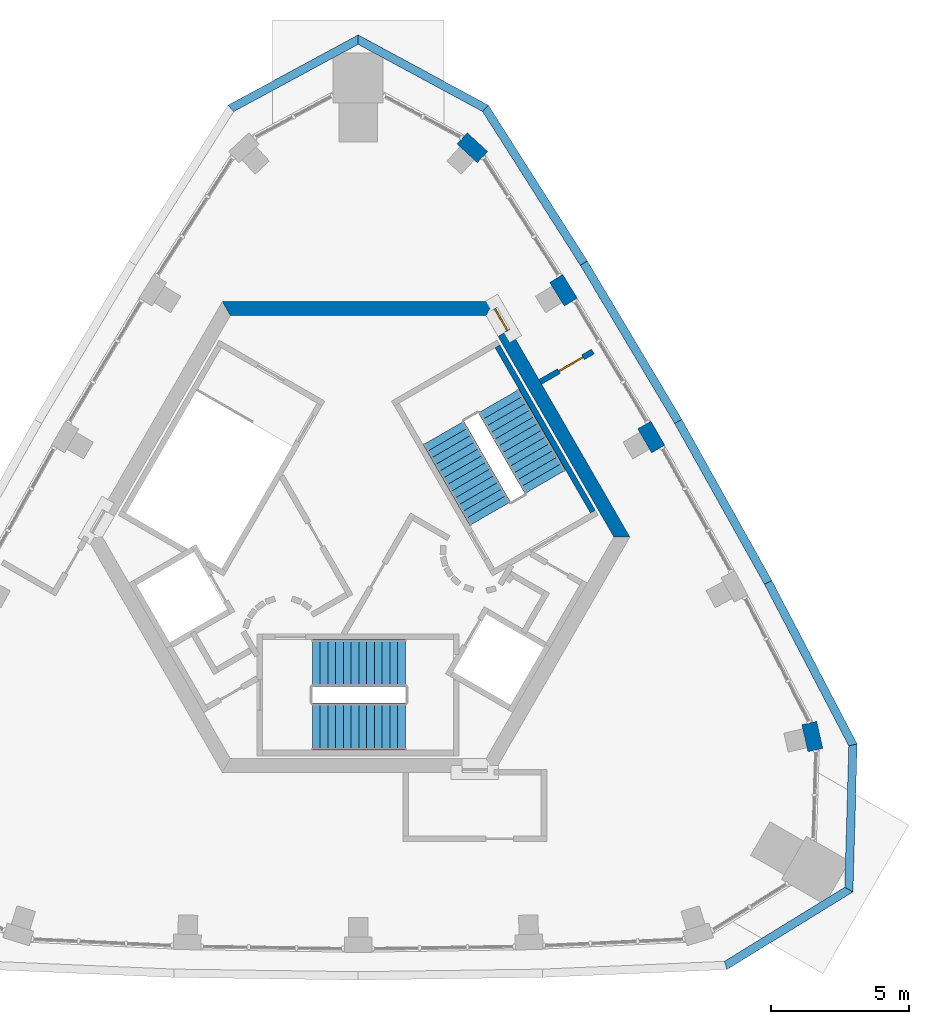
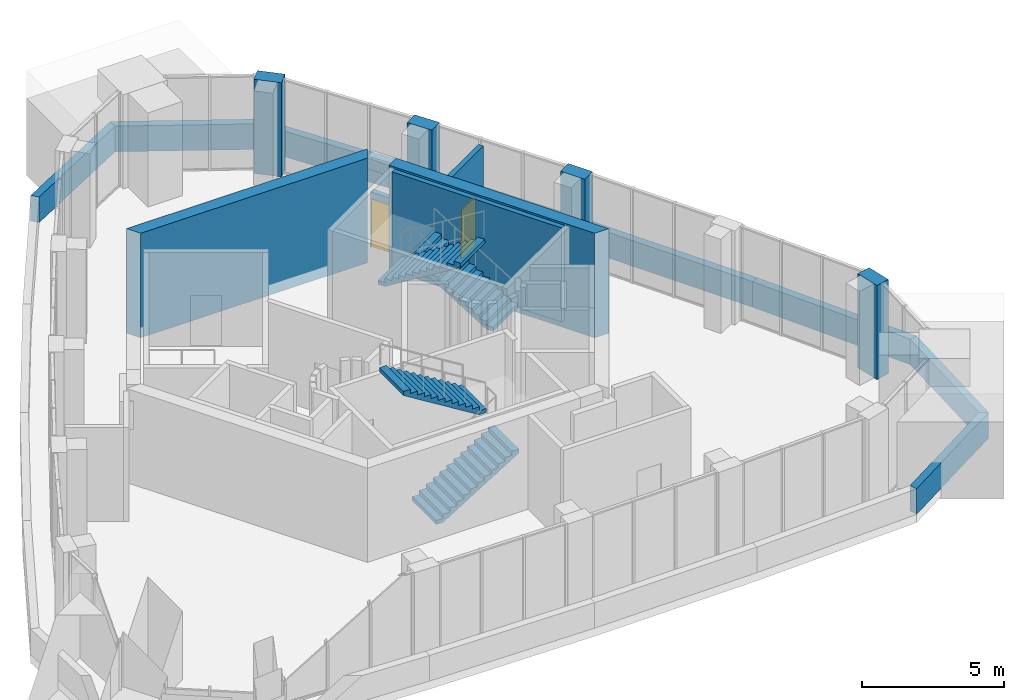
# One storey, part 8 of 9: 17 walls, 4 stair flights, 2 doors, 2 openings, 2 elements without a shape of their own.
"""IFC4 building model written with IfcOpenShell, lengths in metres."""

from ifc_helpers import new_model, si_unit, direction, frame, frame_2d, origin, place, context, subcontext, project, spatial, polyline, rectangle, outline, extrude, material, layer, layer_set, type_object, element, fill, aggregate, save


model = new_model("IFC4")

# Units and contexts
model_context = context("Model", 3, precision=1e-05, world=origin(), true_north=direction((0.0, 1.0)))
body_context = subcontext(model_context, "Body", "Model", "MODEL_VIEW")
ifc_project = project(units=[si_unit("LENGTHUNIT", "METRE"), si_unit("AREAUNIT", "SQUARE_METRE"), si_unit("VOLUMEUNIT", "CUBIC_METRE"), si_unit("PLANEANGLEUNIT", "RADIAN"), si_unit("MASSUNIT", "GRAM", prefix="KILO")], contexts=[model_context])

# Site, building, storey
site_placement = place(None, origin())
site = spatial("IfcSite", under=ifc_project, at=site_placement, CompositionType="ELEMENT")
building_placement = place(site_placement, origin())
building = spatial("IfcBuilding", under=site, at=building_placement, Name="Entoto Arch Interchange Tower", CompositionType="ELEMENT")
storey_placement = place(building_placement, frame((0.0, 0.0, 358.39990234375)))
storey = spatial("IfcBuildingStorey", under=building, at=storey_placement, Name="L84", CompositionType="ELEMENT", Elevation=358.39990234375)

# Wall, opening, door
ifc_material_1 = material(Name="Reinforced concrete C40/50", Category="concrete")
ifc_layer_1 = layer(ifc_material_1, 0.199951171875)
ifc_layer_set_1 = layer_set([ifc_layer_1], Name="Reinforced concrete C40/50")
wall_type_1 = type_object("IfcWallType", Name="CORE GAP INFILL WALL", PredefinedType="PARTITIONING", material=ifc_layer_set_1)
wall_1_placement = place(storey_placement, frame((5.39892578125, 9.947998046875, 0.0), z_axis=(0.0, 0.0, 1.0), x_axis=(-0.499882215713, 0.866093395895, 0.0)))
wall_1 = element("IfcWall", 1, at=wall_1_placement, inside=storey, type_object=wall_type_1, Name="wall:L84:gap2", PredefinedType="PARTITIONING", context=body_context, shape_type="SweptSolid", body=[
    extrude(rectangle(XDim=0.926025390625, YDim=0.199951171875, at=frame_2d((0.462890625, 0.0))), origin(), (0.0, 0.0, 1.0), 2.400146484375),
])
opening_1_placement = place(wall_1_placement, frame((0.01708984375, 0.0, 0.0)))
opening_1 = element("IfcOpeningElement", 2, at=opening_1_placement, cuts=wall_1, Name="Opening L84-D92", PredefinedType="OPENING", context=body_context, shape_type="SweptSolid", body=[
    extrude(rectangle(XDim=0.89990234375, YDim=2.10009765625, at=frame_2d((0.449951171875, 1.050048828125))), frame((0.0, 0.10986328125, 0.0), z_axis=(0.0, -1.0, 0.0), x_axis=(1.0, 0.0, 0.0)), (0.0, 0.0, 1.0), 0.219970703125),
])
ifc_material_2 = material(Name="Fire-rated Steel S235 door and frame", Category="steel")
door_type_1 = type_object("IfcDoorType", Name="DOOR FD-09 900x2100", OperationType="SINGLE_SWING_LEFT", PredefinedType="DOOR", material=ifc_material_2)
door_1_placement = place(opening_1_placement, origin())
door_1 = element("IfcDoor", 3, at=door_1_placement, inside=storey, type_object=door_type_1, Name="door:L84:gap2", OperationType="SINGLE_SWING_LEFT", OverallHeight=2.10009765625, OverallWidth=0.89990234375, PredefinedType="DOOR", context=body_context, shape_type="SweptSolid", body=[
    extrude(rectangle(XDim=0.89990234375, YDim=2.10009765625, at=frame_2d((0.449951171875, 1.050048828125))), frame((0.0, 0.02490234375, 0.0), z_axis=(0.0, -1.0, 0.0), x_axis=(1.0, 0.0, 0.0)), (0.0, 0.0, 1.0), 0.050048828125),
])
fill(opening_1, door_1)

# Walls
ifc_material_3 = material(Name="Concrete C40/50", Category="concrete")
ifc_layer_2 = layer(ifc_material_3, 0.5)
ifc_layer_set_2 = layer_set([ifc_layer_2], Name="Concrete C40/50")
wall_type_2 = type_object("IfcWallType", Name="Core wall 500 C40/50", PredefinedType="SHEAR", material=ifc_layer_set_2)
wall_2_placement = place(storey_placement, frame((0.0, 0.0, -0.449951171875)))
element("IfcWall", 4, at=wall_2_placement, inside=storey, type_object=wall_type_2, Name="Core wall NE L84", PredefinedType="SHEAR", context=body_context, shape_type="SweptSolid", body=[
    extrude(outline(polyline([(5.486083984375, 9.998046875), (5.052978515625, 9.748046875), (9.238037109375, 2.5), (9.81494140625, 2.5), (5.486083984375, 9.998046875)])), origin(), (0.0, 0.0, 1.0), 4.5),
])
wall_3_placement = place(storey_placement, frame((0.0, 0.0, -0.449951171875)))
element("IfcWall", 5, at=wall_3_placement, inside=storey, type_object=wall_type_2, Name="Core wall N L84", PredefinedType="SHEAR", context=body_context, shape_type="SweptSolid", body=[
    extrude(outline(polyline([(4.906982421875, 11.0), (-4.906982421875, 11.0), (-4.618896484375, 10.5), (4.618896484375, 10.5), (4.906982421875, 11.0)])), origin(), (0.0, 0.0, 1.0), 4.5),
])
ifc_material_4 = material(Name="Board-marked precast concrete C50/60", Category="concrete")
ifc_layer_3 = layer(ifc_material_4, 0.300048828125)
ifc_layer_set_3 = layer_set([ifc_layer_3], Name="Board-marked precast concrete C50/60")
wall_type_3 = type_object("IfcWallType", Name="PARAPET PRECAST 300", PredefinedType="PARAPET", material=ifc_layer_set_3)
wall_4_placement = place(storey_placement, origin())
element("IfcWall", 6, at=wall_4_placement, inside=storey, type_object=wall_type_3, Name="Setback roof parapet L84 5", PredefinedType="PARAPET", context=body_context, shape_type="SweptSolid", body=[
    extrude(outline(polyline([(13.320068359375, -13.1220703125), (17.8720703125, -10.319091796875), (17.576904296875, -10.14892578125), (13.22900390625, -12.825927734375), (13.320068359375, -13.1220703125)])), origin(), (0.0, 0.0, 1.0), 1.10009765625),
])
wall_5_placement = place(storey_placement, origin())
element("IfcWall", 7, at=wall_5_placement, inside=storey, type_object=wall_type_3, Name="Setback roof parapet L84 6", PredefinedType="PARAPET", context=body_context, shape_type="SweptSolid", body=[
    extrude(outline(polyline([(17.8720703125, -10.319091796875), (18.02392578125, -4.97412109375), (17.721923828125, -5.0439453125), (17.576904296875, -10.14892578125), (17.8720703125, -10.319091796875)])), origin(), (0.0, 0.0, 1.0), 1.10009765625),
])
wall_6_placement = place(storey_placement, origin())
element("IfcWall", 8, at=wall_6_placement, inside=storey, type_object=wall_type_3, Name="Setback roof parapet L84 7", PredefinedType="PARAPET", context=body_context, shape_type="SweptSolid", body=[
    extrude(outline(polyline([(18.02392578125, -4.97412109375), (14.94091796875, 0.93310546875), (14.677001953125, 0.7900390625), (17.721923828125, -5.0439453125), (18.02392578125, -4.97412109375)])), origin(), (0.0, 0.0, 1.0), 1.10009765625),
])
wall_7_placement = place(storey_placement, origin())
element("IfcWall", 9, at=wall_7_placement, inside=storey, type_object=wall_type_3, Name="Setback roof parapet L84 8", PredefinedType="PARAPET", context=body_context, shape_type="SweptSolid", body=[
    extrude(outline(polyline([(14.94091796875, 0.93310546875), (11.69091796875, 6.75), (11.430908203125, 6.60009765625), (14.677001953125, 0.7900390625), (14.94091796875, 0.93310546875)])), origin(), (0.0, 0.0, 1.0), 1.10009765625),
])
wall_8_placement = place(storey_placement, origin())
element("IfcWall", 10, at=wall_8_placement, inside=storey, type_object=wall_type_3, Name="Setback roof parapet L84 9", PredefinedType="PARAPET", context=body_context, shape_type="SweptSolid", body=[
    extrude(outline(polyline([(11.69091796875, 6.75), (8.278076171875, 12.472900390625), (8.02294921875, 12.31591796875), (11.430908203125, 6.60009765625), (11.69091796875, 6.75)])), origin(), (0.0, 0.0, 1.0), 1.10009765625),
])
wall_9_placement = place(storey_placement, origin())
element("IfcWall", 11, at=wall_9_placement, inside=storey, type_object=wall_type_3, Name="Setback roof parapet L84 10", PredefinedType="PARAPET", context=body_context, shape_type="SweptSolid", body=[
    extrude(outline(polyline([(8.278076171875, 12.472900390625), (4.7041015625, 18.095947265625), (4.492919921875, 17.868896484375), (8.02294921875, 12.31591796875), (8.278076171875, 12.472900390625)])), origin(), (0.0, 0.0, 1.0), 1.10009765625),
])
wall_10_placement = place(storey_placement, origin())
element("IfcWall", 12, at=wall_10_placement, inside=storey, type_object=wall_type_3, Name="Setback roof parapet L84 11", PredefinedType="PARAPET", context=body_context, shape_type="SweptSolid", body=[
    extrude(outline(polyline([(4.7041015625, 18.095947265625), (0.0, 20.636962890625), (0.0, 20.2958984375), (4.492919921875, 17.868896484375), (4.7041015625, 18.095947265625)])), origin(), (0.0, 0.0, 1.0), 1.10009765625),
])
wall_11_placement = place(storey_placement, origin())
element("IfcWall", 13, at=wall_11_placement, inside=storey, type_object=wall_type_3, Name="Setback roof parapet L84 12", PredefinedType="PARAPET", context=body_context, shape_type="SweptSolid", body=[
    extrude(outline(polyline([(0.0, 20.636962890625), (-4.7041015625, 18.095947265625), (-4.492919921875, 17.868896484375), (0.0, 20.2958984375), (0.0, 20.636962890625)])), origin(), (0.0, 0.0, 1.0), 1.10009765625),
])

# Wall, opening, door
ifc_material_5 = material(Name="Gypsum board partition on steel studs", Category="steel")
ifc_layer_4 = layer(ifc_material_5, 0.199951171875)
ifc_layer_set_4 = layer_set([ifc_layer_4], Name="Gypsum board partition on steel studs")
wall_type_4 = type_object("IfcWallType", Name="PARTITION 200", PredefinedType="PARTITIONING", material=ifc_layer_set_4)
wall_12_placement = place(storey_placement, frame((8.47802734375, 9.199951171875, 0.0), z_axis=(0.0, 0.0, 1.0), x_axis=(-0.866104006239, -0.499863831834, 0.0)))
wall_12 = element("IfcWall", 14, at=wall_12_placement, inside=storey, type_object=wall_type_4, Name="wall:L84:p032", PredefinedType="PARTITIONING", context=body_context, shape_type="SweptSolid", body=[
    extrude(rectangle(XDim=2.1923828125, YDim=0.199951171875, at=frame_2d((1.09619140625, 0.0))), origin(), (0.0, 0.0, 1.0), 4.050048828125),
])
opening_2_placement = place(wall_12_placement, frame((0.4130859375, 0.0, 0.0)))
opening_2 = element("IfcOpeningElement", 15, at=opening_2_placement, cuts=wall_12, Name="Opening L84-D02", PredefinedType="OPENING", context=body_context, shape_type="SweptSolid", body=[
    extrude(rectangle(XDim=1.0, YDim=2.10009765625, at=frame_2d((0.5, 1.050048828125))), frame((0.0, 0.10986328125, 0.0), z_axis=(0.0, -1.0, 0.0), x_axis=(1.0, 0.0, 0.0)), (0.0, 0.0, 1.0), 0.219970703125),
])
door_type_2 = type_object("IfcDoorType", Name="DOOR FD-10 1000x2100", OperationType="SINGLE_SWING_LEFT", PredefinedType="DOOR", material=ifc_material_2)
door_2_placement = place(opening_2_placement, origin())
door_2 = element("IfcDoor", 16, at=door_2_placement, inside=storey, type_object=door_type_2, Name="door:L84:02", OperationType="SINGLE_SWING_LEFT", OverallHeight=2.10009765625, OverallWidth=1.0, PredefinedType="DOOR", context=body_context, shape_type="SweptSolid", body=[
    extrude(rectangle(XDim=1.0, YDim=2.10009765625, at=frame_2d((0.5, 1.050048828125))), frame((0.0, 0.02490234375, 0.0), z_axis=(0.0, -1.0, 0.0), x_axis=(1.0, 0.0, 0.0)), (0.0, 0.0, 1.0), 0.050048828125),
])
fill(opening_2, door_2)

# Walls
ifc_layer_5 = layer(ifc_material_3, 0.199951171875)
ifc_layer_set_5 = layer_set([ifc_layer_5], Name="Concrete C40/50")
wall_type_5 = type_object("IfcWallType", Name="STAIR ENCLOSURE WALL 200", PredefinedType="STANDARD", material=ifc_layer_set_5)
wall_13_placement = place(storey_placement, frame((8.47998046875, 3.412109375, 0.0), z_axis=(0.0, 0.0, 1.0), x_axis=(-0.499978703459, 0.866037698999, 0.0)))
element("IfcWall", 17, at=wall_13_placement, inside=storey, type_object=wall_type_5, Name="Stair wall ST-NE back", PredefinedType="STANDARD", context=body_context, shape_type="SweptSolid", body=[
    extrude(rectangle(XDim=6.900146484375, YDim=0.199951171875, at=frame_2d((3.4501953125, 0.0))), origin(), (0.0, 0.0, 1.0), 4.050048828125),
])
ifc_material_6 = material(Name="Welded tuff (ignimbrite) cladding, warm buff", Category="masonry")
ifc_layer_6 = layer(ifc_material_6, 0.550048828125)
ifc_layer_set_6 = layer_set([ifc_layer_6], Name="Welded tuff (ignimbrite) cladding, warm buff")
wall_type_6 = type_object("IfcWallType", Name="STONE PIER CLADDING 550", PredefinedType="STANDARD", material=ifc_layer_set_6)
wall_14_placement = place(storey_placement, frame((16.514892578125, -5.195068359375, 0.0), z_axis=(0.0, 0.0, 1.0), x_axis=(-0.220987805865, 0.975276570855, 0.0)))
element("IfcWall", 18, at=wall_14_placement, inside=storey, type_object=wall_type_6, Name="Stone pier NE01 L84", PredefinedType="STANDARD", context=body_context, shape_type="SweptSolid", body=[
    extrude(rectangle(XDim=0.999755859375, YDim=0.550048828125, at=frame_2d((0.5, 0.0))), origin(), (0.0, 0.0, 1.0), 4.050048828125),
])
wall_15_placement = place(storey_placement, frame((10.8369140625, 5.678955078125, 0.0), z_axis=(0.0, 0.0, 1.0), x_axis=(-0.49960277677, 0.866254619292, 0.0)))
element("IfcWall", 19, at=wall_15_placement, inside=storey, type_object=wall_type_6, Name="Stone pier NE03 L84", PredefinedType="STANDARD", context=body_context, shape_type="SweptSolid", body=[
    extrude(rectangle(XDim=1.000732421875, YDim=0.550048828125, at=frame_2d((0.50048828125, 0.0))), origin(), (0.0, 0.0, 1.0), 4.050048828125),
])
wall_16_placement = place(storey_placement, frame((7.679931640625, 10.987060546875, 0.0), z_axis=(0.0, 0.0, 1.0), x_axis=(-0.526900867702, 0.849926747205, 0.0)))
element("IfcWall", 20, at=wall_16_placement, inside=storey, type_object=wall_type_6, Name="Stone pier NE04 L84", PredefinedType="STANDARD", context=body_context, shape_type="SweptSolid", body=[
    extrude(rectangle(XDim=1.0, YDim=0.550048828125, at=frame_2d((0.5, 0.0))), origin(), (0.0, 0.0, 1.0), 4.050048828125),
])
wall_17_placement = place(storey_placement, frame((4.491943359375, 16.220947265625, 0.0), z_axis=(0.0, 0.0, 1.0), x_axis=(-0.734044660287, 0.67910119769, 0.0)))
element("IfcWall", 21, at=wall_17_placement, inside=storey, type_object=wall_type_6, Name="Stone pier NE05 L84", PredefinedType="STANDARD", context=body_context, shape_type="SweptSolid", body=[
    extrude(rectangle(XDim=0.999755859375, YDim=0.550048828125, at=frame_2d((0.5, 0.0))), origin(), (0.0, 0.0, 1.0), 4.050048828125),
])

# Stair, stair flights
stair_type = type_object("IfcStairType", Name="EXIT STAIR RC 1700", PredefinedType="HALF_TURN_STAIR", material=ifc_material_3)
stair_1_placement = place(storey_placement, origin())
stair_1 = element("IfcStair", 22, at=stair_1_placement, inside=storey, type_object=stair_type, Name="L84 Exit stair S", PredefinedType="HALF_TURN_STAIR")
stair_flight_type = type_object("IfcStairFlightType", Name="EXIT STAIR FLIGHT RC 1700", PredefinedType="STRAIGHT", material=ifc_material_3)
stair_flight_1_placement = place(storey_placement, frame((-1.64990234375, -4.35009765625, 0.0), z_axis=(0.0, 0.0, 1.0), x_axis=(1.0, 0.0, 0.0)))
stair_flight_1 = element("IfcStairFlight", 23, at=stair_flight_1_placement, type_object=stair_flight_type, Name="ST-S flight 1", NumberOfRisers=13, NumberOfTreads=12, PredefinedType="STRAIGHT", RiserHeight=0.173076923, TreadLength=0.28, context=body_context, shape_type="SweptSolid", body=[
    extrude(outline(polyline([(-0.0029296875, 0.0), (-0.0029296875, 0.173095703125), (0.280029296875, 0.173095703125), (0.280029296875, 0.34619140625), (0.56005859375, 0.34619140625), (0.56005859375, 0.519287109375), (0.840087890625, 0.519287109375), (0.840087890625, 0.6923828125), (1.1201171875, 0.6923828125), (1.1201171875, 0.865478515625), (1.39990234375, 0.865478515625), (1.39990234375, 1.03857421875), (1.679931640625, 1.03857421875), (1.679931640625, 1.21142578125), (1.9599609375, 1.21142578125), (1.9599609375, 1.384521484375), (2.239990234375, 1.384521484375), (2.239990234375, 1.5576171875), (2.52001953125, 1.5576171875), (2.52001953125, 1.730712890625), (2.800048828125, 1.730712890625), (2.800048828125, 1.90380859375), (3.080078125, 1.90380859375), (3.080078125, 2.076904296875), (3.360107421875, 2.076904296875), (3.363037109375, 2.076904296875), (3.363037109375, 1.902587890625), (0.28515625, 0.0), (-0.0029296875, 0.0)])), frame((0.0, 0.85009765625, 0.0), z_axis=(0.0, -1.0, 0.0), x_axis=(1.0, 0.0, 0.0)), (0.0, 0.0, 1.0), 1.699951171875),
])
stair_flight_2_placement = place(storey_placement, frame((1.7099609375, -2.050048828125, 2.25), z_axis=(0.0, 0.0, 1.0), x_axis=(-1.0, 0.0, 0.0)))
stair_flight_2 = element("IfcStairFlight", 24, at=stair_flight_2_placement, type_object=stair_flight_type, Name="ST-S flight 2", NumberOfRisers=13, NumberOfTreads=12, PredefinedType="STRAIGHT", RiserHeight=0.173076923, TreadLength=0.28, context=body_context, shape_type="SweptSolid", body=[
    extrude(outline(polyline([(-0.0029296875, 0.0), (-0.0029296875, 0.173095703125), (0.280029296875, 0.173095703125), (0.280029296875, 0.34619140625), (0.56005859375, 0.34619140625), (0.56005859375, 0.519287109375), (0.840087890625, 0.519287109375), (0.840087890625, 0.6923828125), (1.1201171875, 0.6923828125), (1.1201171875, 0.865478515625), (1.39990234375, 0.865478515625), (1.39990234375, 1.03857421875), (1.679931640625, 1.03857421875), (1.679931640625, 1.21142578125), (1.9599609375, 1.21142578125), (1.9599609375, 1.384521484375), (2.239990234375, 1.384521484375), (2.239990234375, 1.5576171875), (2.52001953125, 1.5576171875), (2.52001953125, 1.730712890625), (2.800048828125, 1.730712890625), (2.800048828125, 1.90380859375), (3.080078125, 1.90380859375), (3.080078125, 2.076904296875), (3.360107421875, 2.076904296875), (3.363037109375, 2.076904296875), (3.363037109375, 1.902587890625), (0.28515625, 0.0), (-0.0029296875, 0.0)])), frame((0.0, 0.85009765625, 0.0), z_axis=(0.0, -1.0, 0.0), x_axis=(1.0, 0.0, 0.0)), (0.0, 0.0, 1.0), 1.699951171875),
])
aggregate(stair_1, [stair_flight_1, stair_flight_2])

stair_2_placement = place(storey_placement, origin())
stair_2 = element("IfcStair", 25, at=stair_2_placement, inside=storey, type_object=stair_type, Name="L84 Exit stair NE", PredefinedType="HALF_TURN_STAIR")
stair_flight_3_placement = place(storey_placement, frame((6.75732421875, 4.49609375, 0.0), z_axis=(0.0, 0.0, 1.0), x_axis=(-0.5, 0.866025403784, 0.0)))
stair_flight_3 = element("IfcStairFlight", 26, at=stair_flight_3_placement, type_object=stair_flight_type, Name="ST-NE flight 1", NumberOfRisers=13, NumberOfTreads=12, PredefinedType="STRAIGHT", RiserHeight=0.173076923, TreadLength=0.28, context=body_context, shape_type="SweptSolid", body=[
    extrude(outline(polyline([(-0.0029296875, 0.0), (-0.0029296875, 0.173095703125), (0.280029296875, 0.173095703125), (0.280029296875, 0.34619140625), (0.56005859375, 0.34619140625), (0.56005859375, 0.519287109375), (0.840087890625, 0.519287109375), (0.840087890625, 0.6923828125), (1.1201171875, 0.6923828125), (1.1201171875, 0.865478515625), (1.39990234375, 0.865478515625), (1.39990234375, 1.03857421875), (1.679931640625, 1.03857421875), (1.679931640625, 1.21142578125), (1.9599609375, 1.21142578125), (1.9599609375, 1.384521484375), (2.239990234375, 1.384521484375), (2.239990234375, 1.5576171875), (2.52001953125, 1.5576171875), (2.52001953125, 1.730712890625), (2.800048828125, 1.730712890625), (2.800048828125, 1.90380859375), (3.080078125, 1.90380859375), (3.080078125, 2.076904296875), (3.360107421875, 2.076904296875), (3.363037109375, 2.076904296875), (3.363037109375, 1.902587890625), (0.28515625, 0.0), (-0.0029296875, 0.0)])), frame((0.0, 0.85009765625, 0.0), z_axis=(0.0, -1.0, 0.0), x_axis=(1.0, 0.0, 0.0)), (0.0, 0.0, 1.0), 1.699951171875),
])
stair_flight_4_placement = place(storey_placement, frame((3.08544921875, 6.255859375, 2.25), z_axis=(0.0, 0.0, 1.0), x_axis=(0.5, -0.866025403784, 0.0)))
stair_flight_4 = element("IfcStairFlight", 27, at=stair_flight_4_placement, type_object=stair_flight_type, Name="ST-NE flight 2", NumberOfRisers=13, NumberOfTreads=12, PredefinedType="STRAIGHT", RiserHeight=0.173076923, TreadLength=0.28, context=body_context, shape_type="SweptSolid", body=[
    extrude(outline(polyline([(-0.0029296875, 0.0), (-0.0029296875, 0.173095703125), (0.280029296875, 0.173095703125), (0.280029296875, 0.34619140625), (0.56005859375, 0.34619140625), (0.56005859375, 0.519287109375), (0.840087890625, 0.519287109375), (0.840087890625, 0.6923828125), (1.1201171875, 0.6923828125), (1.1201171875, 0.865478515625), (1.39990234375, 0.865478515625), (1.39990234375, 1.03857421875), (1.679931640625, 1.03857421875), (1.679931640625, 1.21142578125), (1.9599609375, 1.21142578125), (1.9599609375, 1.384521484375), (2.239990234375, 1.384521484375), (2.239990234375, 1.5576171875), (2.52001953125, 1.5576171875), (2.52001953125, 1.730712890625), (2.800048828125, 1.730712890625), (2.800048828125, 1.90380859375), (3.080078125, 1.90380859375), (3.080078125, 2.076904296875), (3.360107421875, 2.076904296875), (3.363037109375, 2.076904296875), (3.363037109375, 1.902587890625), (0.28515625, 0.0), (-0.0029296875, 0.0)])), frame((0.0, 0.85009765625, 0.0), z_axis=(0.0, -1.0, 0.0), x_axis=(1.0, 0.0, 0.0)), (0.0, 0.0, 1.0), 1.699951171875),
])
aggregate(stair_2, [stair_flight_3, stair_flight_4])

save(model, "model.ifc")
